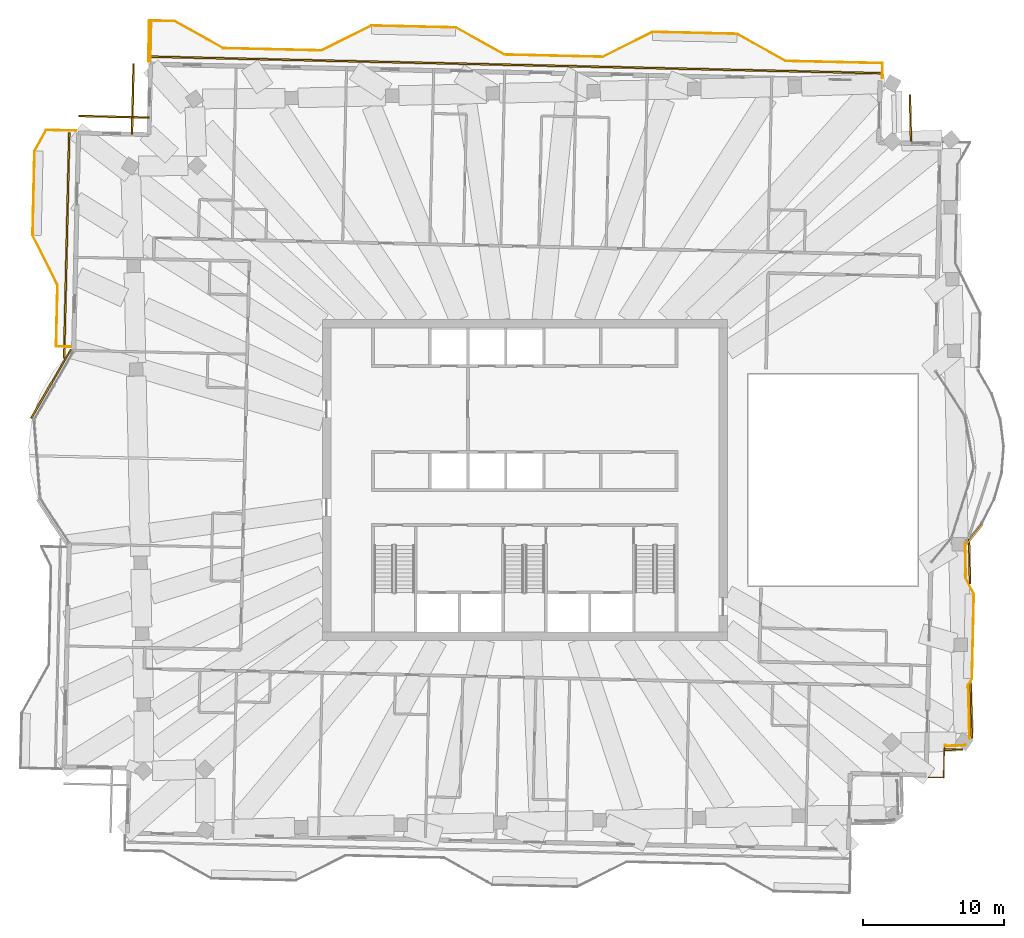
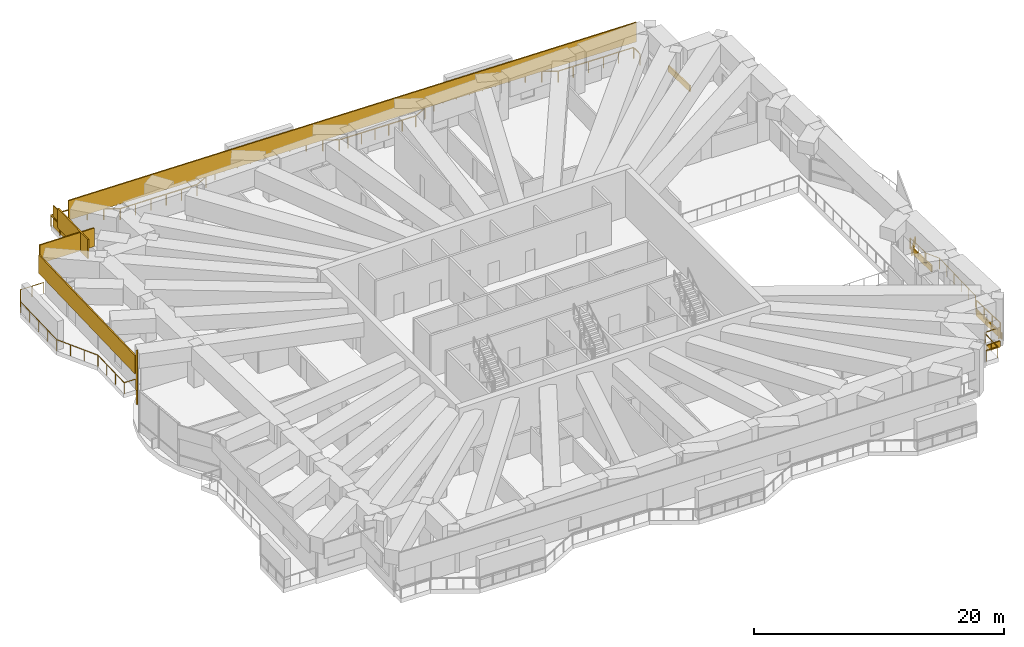
# One storey, part 19 of 20: 10 coverings, 7 railings, 1 shading device.
"""IFC4 building model written with IfcOpenShell, lengths in metres."""

import ifcopenshell
import ifcopenshell.guid

model = None  # the IFC model being written
_history = None  # IfcOwnerHistory: only IFC2X3 demands one
_inside = {}  # id of a spatial element -> (the spatial element, [elements in it])
_under = {}  # id of a project, library or spatial element -> (it, [spatial elements below it])
_declared = {}  # id of a project -> (the project, [libraries it declares])
_typed = {}  # id of a type object -> (the type object, [elements of that type])
_made_of = {}  # id of a material, layer set ... -> (it, [elements and type objects made of it])


def new_model(schema):
    """Start an empty IFC model of exactly this schema.

    Asked for "IFC4X3", IfcOpenShell would pick the latest addendum, in which some entities
    have other attributes; the version numbers below select the first issue.
    IFC2X3 requires an IfcOwnerHistory on every rooted entity: one is made here for all.
    """
    global model, _history
    if schema == "IFC4X3":
        model = ifcopenshell.file(schema_version=(4, 3, 0, 0))
    else:
        model = ifcopenshell.file(schema=schema)
    _inside.clear()
    _under.clear()
    _declared.clear()
    _typed.clear()
    _made_of.clear()
    _history = None
    if model.schema == "IFC2X3":
        org = make("IfcOrganization", Name="unknown")
        user = make(
            "IfcPersonAndOrganization",
            ThePerson=make("IfcPerson", FamilyName="unknown"),
            TheOrganization=org,
        )
        app = make(
            "IfcApplication",
            ApplicationDeveloper=org,
            Version="unknown",
            ApplicationFullName="unknown",
            ApplicationIdentifier="unknown",
        )
        _history = make(
            "IfcOwnerHistory",
            OwningUser=user,
            OwningApplication=app,
            ChangeAction="ADDED",
            CreationDate=0,
        )
    return model


def make(cls, **values):
    """One entity of the class cls with the attributes given. An attribute that is None is left unset."""
    return model.create_entity(
        cls, **{name: value for name, value in values.items() if value is not None}
    )


def rooted(cls, **values):
    """An entity with a GlobalId (a new one), such as an element, a storey or a relation."""
    return make(cls, GlobalId=ifcopenshell.guid.new(), OwnerHistory=_history, **values)


def si_unit(unit_type, name, prefix=None):
    """IfcSIUnit, for example si_unit("LENGTHUNIT", "METRE", prefix="MILLI")."""
    return make("IfcSIUnit", UnitType=unit_type, Prefix=prefix, Name=name)


def assignment(units):
    """IfcUnitAssignment: the units of a project."""
    return None if units is None else make("IfcUnitAssignment", Units=units)


def point(xyz):
    """IfcCartesianPoint."""
    return None if xyz is None else make("IfcCartesianPoint", Coordinates=xyz)


def direction(xyz):
    """IfcDirection."""
    return None if xyz is None else make("IfcDirection", DirectionRatios=xyz)


def frame(location, z_axis=None, x_axis=None):
    """IfcAxis2Placement3D, a coordinate frame: its origin and axes. An axis left out is left unset."""
    return make(
        "IfcAxis2Placement3D",
        Location=point(location),
        Axis=direction(z_axis),
        RefDirection=direction(x_axis),
    )


def frame_2d(location, x_axis=None):
    """IfcAxis2Placement2D, a coordinate frame in the plane: its origin and x axis."""
    return make(
        "IfcAxis2Placement2D", Location=point(location), RefDirection=direction(x_axis)
    )


def origin():
    """The frame at (0, 0, 0) with its axes left unset."""
    return frame((0.0, 0.0, 0.0))


def origin_2d():
    """The frame at (0, 0) in the plane with its x axis left unset."""
    return frame_2d((0.0, 0.0))


def place(relative_to, where):
    """IfcLocalPlacement: puts the frame where relative to a parent placement (None: the world)."""
    return make(
        "IfcLocalPlacement", PlacementRelTo=relative_to, RelativePlacement=where
    )


def context(
    kind, dimensions, precision=None, world=None, true_north=None, identifier=None
):
    """IfcGeometricRepresentationContext, for example the 3D "Model" context."""
    return make(
        "IfcGeometricRepresentationContext",
        ContextIdentifier=identifier,
        ContextType=kind,
        CoordinateSpaceDimension=dimensions,
        Precision=precision,
        WorldCoordinateSystem=world,
        TrueNorth=true_north,
    )


def subcontext(parent, identifier, kind, view, scale=None):
    """IfcGeometricRepresentationSubContext, for example "Body" below "Model"."""
    return make(
        "IfcGeometricRepresentationSubContext",
        ContextIdentifier=identifier,
        ContextType=kind,
        ParentContext=parent,
        TargetScale=scale,
        TargetView=view,
    )


def project(units=None, contexts=None):
    """IfcProject with its units and contexts."""
    return rooted(
        "IfcProject",
        Name="project",
        RepresentationContexts=contexts,
        UnitsInContext=assignment(units),
    )


def spatial(cls, under=None, at=None, **own):
    """A site, building, storey or space (cls), placed at a placement, below another one or the project."""
    s = rooted(cls, ObjectPlacement=at, **own)
    if under is not None:
        _under.setdefault(under.id(), (under, []))[1].append(s)
    return s


def profile(cls, at=None, kind="AREA", **sizes):
    """A parametric profile (cls). Its sizes go by their IFC names, for example OverallWidth=200.0."""
    return make(cls, ProfileType=kind, Position=at, **sizes)


def rectangle(**sizes):
    """IfcRectangleProfileDef."""
    return profile("IfcRectangleProfileDef", **sizes)


def extrude(swept, where, along, depth):
    """IfcExtrudedAreaSolid: the profile swept, set in the frame where, extruded along a direction by depth."""
    return make(
        "IfcExtrudedAreaSolid",
        SweptArea=swept,
        Position=where,
        ExtrudedDirection=direction(along),
        Depth=depth,
    )


def shape(context_of_items, identifier, shape_type, items):
    """IfcShapeRepresentation: the items that make up one representation, for example the "Body"."""
    return make(
        "IfcShapeRepresentation",
        ContextOfItems=context_of_items,
        RepresentationIdentifier=identifier,
        RepresentationType=shape_type,
        Items=items,
    )


def material(Name=None, Category=None):
    """IfcMaterial."""
    return make("IfcMaterial", Name=Name, Category=Category)


def layer(
    of_material, thickness, ventilated=None, Name=None, Category=None, Priority=None
):
    """IfcMaterialLayer: one layer of a wall or slab, of a material (None: an air gap)."""
    return make(
        "IfcMaterialLayer",
        Material=of_material,
        LayerThickness=thickness,
        IsVentilated=ventilated,
        Name=Name,
        Category=Category,
        Priority=Priority,
    )


def layer_set(layers, Name=None):
    """IfcMaterialLayerSet."""
    return make("IfcMaterialLayerSet", MaterialLayers=layers, LayerSetName=Name)


def made_of(thing, what):
    """Note that an element or type object is made of a material, layer set ...; save() writes the relation."""
    if what is not None:
        _made_of.setdefault(what.id(), (what, []))[1].append(thing)
    return thing


def type_object(cls, material=None, **own):
    """A type object (cls), such as IfcWallType, which elements share."""
    return made_of(rooted(cls, **own), material)


def element(
    cls,
    number,
    at=None,
    inside=None,
    cuts=None,
    type_object=None,
    material=None,
    context=None,
    identifier="Body",
    shape_type=None,
    held_by="IfcProductDefinitionShape",
    body=None,
    shapes=None,
    **own,
):
    """One element of the class cls, such as IfcWall. Its Tag is "e" and its number.

    at: its placement. inside: the storey or other place that contains it. cuts: it is an
    opening in that element (IfcRelVoidsElement). A single representation is given by context,
    identifier, shape_type and body (its items); several are given by shapes. held_by: the class
    of the entity that holds the representations. save() writes the other relations.
    """
    e = rooted(cls, Tag="e%d" % number, ObjectPlacement=at, **own)
    if body is not None:
        shapes = [shape(context, identifier, shape_type, body)]
    if shapes is not None:
        e.Representation = make(held_by, Representations=shapes)
    if inside is not None:
        _inside.setdefault(inside.id(), (inside, []))[1].append(e)
    if cuts is not None:
        rooted(
            "IfcRelVoidsElement", RelatingBuildingElement=cuts, RelatedOpeningElement=e
        )
    if type_object is not None:
        _typed.setdefault(type_object.id(), (type_object, []))[1].append(e)
    return made_of(e, material)


def aggregate(whole, parts):
    """IfcRelAggregates: a whole, such as a stair, and the parts it consists of."""
    return rooted("IfcRelAggregates", RelatingObject=whole, RelatedObjects=parts)


def save(model, path):
    """Write the relations noted so far, then the file.

    IfcRelAggregates (storeys below a building ...), IfcRelContainedInSpatialStructure (elements
    in a storey), IfcRelDefinesByType, IfcRelAssociatesMaterial and IfcRelDeclares: one each for
    every whole, place, type object, material and project.
    """
    for whole, parts in _under.values():
        aggregate(whole, parts)
    for where, things in _inside.values():
        rooted(
            "IfcRelContainedInSpatialStructure",
            RelatedElements=things,
            RelatingStructure=where,
        )
    for kind, things in _typed.values():
        rooted("IfcRelDefinesByType", RelatedObjects=things, RelatingType=kind)
    for what, things in _made_of.values():
        rooted("IfcRelAssociatesMaterial", RelatedObjects=things, RelatingMaterial=what)
    for by, libraries in _declared.values():
        rooted("IfcRelDeclares", RelatingContext=by, RelatedDefinitions=libraries)
    model.write(path)


model = new_model("IFC4")

# Units and contexts
model_context = context("Model", 3, precision=1e-05, world=origin(), true_north=direction((0.0, 1.0)))
body_context = subcontext(model_context, "Body", "Model", "MODEL_VIEW")
ifc_project = project(units=[si_unit("LENGTHUNIT", "METRE"), si_unit("AREAUNIT", "SQUARE_METRE"), si_unit("VOLUMEUNIT", "CUBIC_METRE"), si_unit("PLANEANGLEUNIT", "RADIAN"), si_unit("MASSUNIT", "GRAM", prefix="KILO")], contexts=[model_context])

# Site, building, storey
site_placement = place(None, origin())
site = spatial("IfcSite", under=ifc_project, at=site_placement, CompositionType="ELEMENT")
building_placement = place(site_placement, origin())
building = spatial("IfcBuilding", under=site, at=building_placement, Name="Mangrove Gate Tower", CompositionType="ELEMENT")
storey_placement = place(building_placement, frame((0.0, 0.0, 301.5)))
storey = spatial("IfcBuildingStorey", under=building, at=storey_placement, Name="L77", CompositionType="ELEMENT", Elevation=301.5)

# Railings
ifc_material_1 = material(Name="Stainless steel grade 316 with laminated glass infill", Category="steel")
railing_type = type_object("IfcRailingType", Name="Balcony guard 1100", PredefinedType="GUARDRAIL", material=ifc_material_1)
railing_1_placement = place(storey_placement, frame((28.73095703125, -21.14404296875, 0.0)))
element("IfcRailing", 1, at=railing_1_placement, inside=storey, type_object=railing_type, Name="GUARD L77 E1", PredefinedType="GUARDRAIL", context=body_context, shape_type="SweptSolid", body=[
    extrude(rectangle(XDim=0.048095703125, YDim=0.048095703125, at=origin_2d()), frame((0.0, 0.0, 1.076171875), z_axis=(0.999744919731, -0.022585293253, 0.0), x_axis=(0.022585293253, 0.999744919731, 0.0)), (0.0, 0.0, 1.0), 1.059326171875),
    extrude(rectangle(XDim=0.048095703125, YDim=0.048095703125, at=origin_2d()), frame((1.05908203125, -0.02392578125, 1.076171875), z_axis=(0.022994031019, 0.999735602316, 0.0), x_axis=(-0.999735602316, 0.022994031019, 0.0)), (0.0, 0.0, 1.0), 2.176513671875),
    extrude(rectangle(XDim=0.0419921875, YDim=0.0419921875, at=origin_2d()), origin(), (0.0, 0.0, 1.0), 1.052001953125),
    extrude(rectangle(XDim=0.0419921875, YDim=0.0419921875, at=origin_2d()), frame((1.05908203125, -0.02392578125, 0.0)), (0.0, 0.0, 1.0), 1.052001953125),
    extrude(rectangle(XDim=0.0419921875, YDim=0.0419921875, at=origin_2d()), frame((1.083984375, 1.06396484375, 0.0)), (0.0, 0.0, 1.0), 1.052001953125),
    extrude(rectangle(XDim=0.0419921875, YDim=0.0419921875, at=origin_2d()), frame((1.109130859375, 2.152099609375, 0.0)), (0.0, 0.0, 1.0), 1.052001953125),
])
railing_2_placement = place(storey_placement, frame((31.5380859375, -14.5830078125, 0.0)))
element("IfcRailing", 2, at=railing_2_placement, inside=storey, type_object=railing_type, Name="GUARD L77 E2", PredefinedType="GUARDRAIL", context=body_context, shape_type="SweptSolid", body=[
    extrude(rectangle(XDim=0.048095703125, YDim=0.048095703125, at=origin_2d()), frame((0.0, 0.0, 1.076171875), z_axis=(0.487486545876, 0.873130498602, 0.0), x_axis=(-0.873130498602, 0.487486545876, 0.0)), (0.0, 0.0, 1.0), 0.539306640625),
    extrude(rectangle(XDim=0.048095703125, YDim=0.048095703125, at=origin_2d()), frame((0.262939453125, 0.470947265625, 1.076171875), z_axis=(0.022662255828, 0.999743178102, 0.0), x_axis=(-0.999743178102, 0.022662255828, 0.0)), (0.0, 0.0, 1.0), 6.00048828125),
    extrude(rectangle(XDim=0.048095703125, YDim=0.048095703125, at=origin_2d()), frame((0.39892578125, 6.469970703125, 1.076171875), z_axis=(-0.447514420232, 0.894276715388, 0.0), x_axis=(-0.894276715388, -0.447514420232, 0.0)), (0.0, 0.0, 1.0), 1.29833984375),
    extrude(rectangle(XDim=0.0419921875, YDim=0.0419921875, at=origin_2d()), origin(), (0.0, 0.0, 1.0), 1.052001953125),
    extrude(rectangle(XDim=0.0419921875, YDim=0.0419921875, at=origin_2d()), frame((0.262939453125, 0.470947265625, 0.0)), (0.0, 0.0, 1.0), 1.052001953125),
    extrude(rectangle(XDim=0.0419921875, YDim=0.0419921875, at=origin_2d()), frame((0.2900390625, 1.670654296875, 0.0)), (0.0, 0.0, 1.0), 1.052001953125),
    extrude(rectangle(XDim=0.0419921875, YDim=0.0419921875, at=origin_2d()), frame((0.3173828125, 2.87060546875, 0.0)), (0.0, 0.0, 1.0), 1.052001953125),
    extrude(rectangle(XDim=0.0419921875, YDim=0.0419921875, at=origin_2d()), frame((0.344482421875, 4.0703125, 0.0)), (0.0, 0.0, 1.0), 1.052001953125),
    extrude(rectangle(XDim=0.0419921875, YDim=0.0419921875, at=origin_2d()), frame((0.371826171875, 5.270263671875, 0.0)), (0.0, 0.0, 1.0), 1.052001953125),
    extrude(rectangle(XDim=0.0419921875, YDim=0.0419921875, at=origin_2d()), frame((0.39892578125, 6.469970703125, 0.0)), (0.0, 0.0, 1.0), 1.052001953125),
    extrude(rectangle(XDim=0.0419921875, YDim=0.0419921875, at=origin_2d()), frame((-0.18212890625, 7.631103515625, 0.0)), (0.0, 0.0, 1.0), 1.052001953125),
])
railing_3_placement = place(storey_placement, frame((25.41796875, 28.583984375, 0.0)))
element("IfcRailing", 3, at=railing_3_placement, inside=storey, type_object=railing_type, Name="GUARD L77 N1", PredefinedType="GUARDRAIL", context=body_context, shape_type="SweptSolid", body=[
    extrude(rectangle(XDim=0.048095703125, YDim=0.048095703125, at=origin_2d()), frame((0.0, 0.0, 1.076171875), z_axis=(0.022564497502, 0.999745389313, 0.0), x_axis=(-0.999745389313, 0.022564497502, 0.0)), (0.0, 0.0, 1.0), 1.060302734375),
    extrude(rectangle(XDim=0.048095703125, YDim=0.048095703125, at=origin_2d()), frame((0.02392578125, 1.06005859375, 1.076171875), z_axis=(-0.999744350308, 0.022610484882, 0.0), x_axis=(-0.022610484882, -0.999744350308, 0.0)), (0.0, 0.0, 1.0), 6.899658203125),
    extrude(rectangle(XDim=0.048095703125, YDim=0.048095703125, at=origin_2d()), frame((-6.8740234375, 1.216064453125, 1.076171875), z_axis=(-0.87325689943, 0.48726008209, 0.0), x_axis=(-0.48726008209, -0.87325689943, 0.0)), (0.0, 0.0, 1.0), 3.958740234375),
    extrude(rectangle(XDim=0.048095703125, YDim=0.048095703125, at=origin_2d()), frame((-10.3310546875, 3.14501953125, 1.076171875), z_axis=(-0.999743178102, 0.022662255828, 0.0), x_axis=(-0.022662255828, -0.999743178102, 0.0)), (0.0, 0.0, 1.0), 6.00048828125),
    extrude(rectangle(XDim=0.048095703125, YDim=0.048095703125, at=origin_2d()), frame((-16.330078125, 3.281005859375, 1.076171875), z_axis=(-0.894464192593, -0.447139584658, 0.0), x_axis=(0.447139584658, -0.894464192593, 0.0)), (0.0, 0.0, 1.0), 3.95849609375),
    extrude(rectangle(XDim=0.048095703125, YDim=0.048095703125, at=origin_2d()), frame((-19.870849609375, 1.510986328125, 1.076171875), z_axis=(-0.999740919865, 0.022761659577, 0.0), x_axis=(-0.022761659577, -0.999740919865, 0.0)), (0.0, 0.0, 1.0), 6.19970703125),
    extrude(rectangle(XDim=0.048095703125, YDim=0.048095703125, at=origin_2d()), frame((-26.06884765625, 1.652099609375, 1.076171875), z_axis=(-0.999751971697, 0.022270947188, 0.0), x_axis=(-0.022270947188, -0.999751971697, 0.0)), (0.0, 0.0, 1.0), 0.80029296875),
    extrude(rectangle(XDim=0.048095703125, YDim=0.048095703125, at=origin_2d()), frame((-26.868896484375, 1.669921875, 1.076171875), z_axis=(-0.873230657876, 0.487307108654, 0.0), x_axis=(-0.487307108654, -0.873230657876, 0.0)), (0.0, 0.0, 1.0), 3.958984375),
    extrude(rectangle(XDim=0.048095703125, YDim=0.048095703125, at=origin_2d()), frame((-30.325927734375, 3.59912109375, 1.076171875), z_axis=(-0.999743178102, 0.022662255828, 0.0), x_axis=(-0.022662255828, -0.999743178102, 0.0)), (0.0, 0.0, 1.0), 6.00048828125),
    extrude(rectangle(XDim=0.048095703125, YDim=0.048095703125, at=origin_2d()), frame((-36.324951171875, 3.735107421875, 1.076171875), z_axis=(-0.894476522376, -0.447114919141, 0.0), x_axis=(0.447114919141, -0.894476522376, 0.0)), (0.0, 0.0, 1.0), 3.958740234375),
    extrude(rectangle(XDim=0.048095703125, YDim=0.048095703125, at=origin_2d()), frame((-39.865966796875, 1.965087890625, 1.076171875), z_axis=(-0.999742195543, 0.022705559911, 0.0), x_axis=(-0.022705559911, -0.999742195543, 0.0)), (0.0, 0.0, 1.0), 6.999755859375),
    extrude(rectangle(XDim=0.048095703125, YDim=0.048095703125, at=origin_2d()), frame((-46.864013671875, 2.1240234375, 1.076171875), z_axis=(-0.87325689943, 0.48726008209, 0.0), x_axis=(-0.48726008209, -0.87325689943, 0.0)), (0.0, 0.0, 1.0), 3.958740234375),
    extrude(rectangle(XDim=0.048095703125, YDim=0.048095703125, at=origin_2d()), frame((-50.321044921875, 4.052978515625, 1.076171875), z_axis=(-0.999752642043, 0.022240834685, 0.0), x_axis=(-0.022240834685, -0.999752642043, 0.0)), (0.0, 0.0, 1.0), 1.80029296875),
    extrude(rectangle(XDim=0.048095703125, YDim=0.048095703125, at=origin_2d()), frame((-52.120849609375, 4.093017578125, 1.076171875), z_axis=(-0.022403104328, -0.999749018963, 0.0), x_axis=(0.999749018963, -0.022403104328, 0.0)), (0.0, 0.0, 1.0), 2.90966796875),
    extrude(rectangle(XDim=0.0419921875, YDim=0.0419921875, at=origin_2d()), origin(), (0.0, 0.0, 1.0), 1.052001953125),
    extrude(rectangle(XDim=0.0419921875, YDim=0.0419921875, at=origin_2d()), frame((0.02392578125, 1.06005859375, 0.0)), (0.0, 0.0, 1.0), 1.052001953125),
    extrude(rectangle(XDim=0.0419921875, YDim=0.0419921875, at=origin_2d()), frame((-1.355712890625, 1.09130859375, 0.0)), (0.0, 0.0, 1.0), 1.052001953125),
    extrude(rectangle(XDim=0.0419921875, YDim=0.0419921875, at=origin_2d()), frame((-2.7353515625, 1.12255859375, 0.0)), (0.0, 0.0, 1.0), 1.052001953125),
    extrude(rectangle(XDim=0.0419921875, YDim=0.0419921875, at=origin_2d()), frame((-4.11474609375, 1.153564453125, 0.0)), (0.0, 0.0, 1.0), 1.052001953125),
    extrude(rectangle(XDim=0.0419921875, YDim=0.0419921875, at=origin_2d()), frame((-5.494384765625, 1.184814453125, 0.0)), (0.0, 0.0, 1.0), 1.052001953125),
    extrude(rectangle(XDim=0.0419921875, YDim=0.0419921875, at=origin_2d()), frame((-6.8740234375, 1.216064453125, 0.0)), (0.0, 0.0, 1.0), 1.052001953125),
    extrude(rectangle(XDim=0.0419921875, YDim=0.0419921875, at=origin_2d()), frame((-8.0263671875, 1.859130859375, 0.0)), (0.0, 0.0, 1.0), 1.052001953125),
    extrude(rectangle(XDim=0.0419921875, YDim=0.0419921875, at=origin_2d()), frame((-9.1787109375, 2.501953125, 0.0)), (0.0, 0.0, 1.0), 1.052001953125),
    extrude(rectangle(XDim=0.0419921875, YDim=0.0419921875, at=origin_2d()), frame((-10.3310546875, 3.14501953125, 0.0)), (0.0, 0.0, 1.0), 1.052001953125),
    extrude(rectangle(XDim=0.0419921875, YDim=0.0419921875, at=origin_2d()), frame((-11.53076171875, 3.172119140625, 0.0)), (0.0, 0.0, 1.0), 1.052001953125),
    extrude(rectangle(XDim=0.0419921875, YDim=0.0419921875, at=origin_2d()), frame((-12.730712890625, 3.199462890625, 0.0)), (0.0, 0.0, 1.0), 1.052001953125),
    extrude(rectangle(XDim=0.0419921875, YDim=0.0419921875, at=origin_2d()), frame((-13.930419921875, 3.2265625, 0.0)), (0.0, 0.0, 1.0), 1.052001953125),
    extrude(rectangle(XDim=0.0419921875, YDim=0.0419921875, at=origin_2d()), frame((-15.13037109375, 3.25390625, 0.0)), (0.0, 0.0, 1.0), 1.052001953125),
    extrude(rectangle(XDim=0.0419921875, YDim=0.0419921875, at=origin_2d()), frame((-16.330078125, 3.281005859375, 0.0)), (0.0, 0.0, 1.0), 1.052001953125),
    extrude(rectangle(XDim=0.0419921875, YDim=0.0419921875, at=origin_2d()), frame((-17.51025390625, 2.69091796875, 0.0)), (0.0, 0.0, 1.0), 1.052001953125),
    extrude(rectangle(XDim=0.0419921875, YDim=0.0419921875, at=origin_2d()), frame((-18.690673828125, 2.10107421875, 0.0)), (0.0, 0.0, 1.0), 1.052001953125),
    extrude(rectangle(XDim=0.0419921875, YDim=0.0419921875, at=origin_2d()), frame((-19.870849609375, 1.510986328125, 0.0)), (0.0, 0.0, 1.0), 1.052001953125),
    extrude(rectangle(XDim=0.0419921875, YDim=0.0419921875, at=origin_2d()), frame((-21.1103515625, 1.539306640625, 0.0)), (0.0, 0.0, 1.0), 1.052001953125),
    extrude(rectangle(XDim=0.0419921875, YDim=0.0419921875, at=origin_2d()), frame((-22.35009765625, 1.5673828125, 0.0)), (0.0, 0.0, 1.0), 1.052001953125),
    extrude(rectangle(XDim=0.0419921875, YDim=0.0419921875, at=origin_2d()), frame((-23.589599609375, 1.595703125, 0.0)), (0.0, 0.0, 1.0), 1.052001953125),
    extrude(rectangle(XDim=0.0419921875, YDim=0.0419921875, at=origin_2d()), frame((-24.829345703125, 1.623779296875, 0.0)), (0.0, 0.0, 1.0), 1.052001953125),
    extrude(rectangle(XDim=0.0419921875, YDim=0.0419921875, at=origin_2d()), frame((-26.06884765625, 1.652099609375, 0.0)), (0.0, 0.0, 1.0), 1.052001953125),
    extrude(rectangle(XDim=0.0419921875, YDim=0.0419921875, at=origin_2d()), frame((-26.868896484375, 1.669921875, 0.0)), (0.0, 0.0, 1.0), 1.052001953125),
    extrude(rectangle(XDim=0.0419921875, YDim=0.0419921875, at=origin_2d()), frame((-28.021240234375, 2.31298828125, 0.0)), (0.0, 0.0, 1.0), 1.052001953125),
    extrude(rectangle(XDim=0.0419921875, YDim=0.0419921875, at=origin_2d()), frame((-29.173583984375, 2.9560546875, 0.0)), (0.0, 0.0, 1.0), 1.052001953125),
    extrude(rectangle(XDim=0.0419921875, YDim=0.0419921875, at=origin_2d()), frame((-30.325927734375, 3.59912109375, 0.0)), (0.0, 0.0, 1.0), 1.052001953125),
    extrude(rectangle(XDim=0.0419921875, YDim=0.0419921875, at=origin_2d()), frame((-31.525634765625, 3.626220703125, 0.0)), (0.0, 0.0, 1.0), 1.052001953125),
    extrude(rectangle(XDim=0.0419921875, YDim=0.0419921875, at=origin_2d()), frame((-32.7255859375, 3.653564453125, 0.0)), (0.0, 0.0, 1.0), 1.052001953125),
    extrude(rectangle(XDim=0.0419921875, YDim=0.0419921875, at=origin_2d()), frame((-33.92529296875, 3.6806640625, 0.0)), (0.0, 0.0, 1.0), 1.052001953125),
    extrude(rectangle(XDim=0.0419921875, YDim=0.0419921875, at=origin_2d()), frame((-35.125244140625, 3.7080078125, 0.0)), (0.0, 0.0, 1.0), 1.052001953125),
    extrude(rectangle(XDim=0.0419921875, YDim=0.0419921875, at=origin_2d()), frame((-36.324951171875, 3.735107421875, 0.0)), (0.0, 0.0, 1.0), 1.052001953125),
    extrude(rectangle(XDim=0.0419921875, YDim=0.0419921875, at=origin_2d()), frame((-37.50537109375, 3.14501953125, 0.0)), (0.0, 0.0, 1.0), 1.052001953125),
    extrude(rectangle(XDim=0.0419921875, YDim=0.0419921875, at=origin_2d()), frame((-38.685546875, 2.55517578125, 0.0)), (0.0, 0.0, 1.0), 1.052001953125),
    extrude(rectangle(XDim=0.0419921875, YDim=0.0419921875, at=origin_2d()), frame((-39.865966796875, 1.965087890625, 0.0)), (0.0, 0.0, 1.0), 1.052001953125),
    extrude(rectangle(XDim=0.0419921875, YDim=0.0419921875, at=origin_2d()), frame((-41.265625, 1.996826171875, 0.0)), (0.0, 0.0, 1.0), 1.052001953125),
    extrude(rectangle(XDim=0.0419921875, YDim=0.0419921875, at=origin_2d()), frame((-42.665283203125, 2.028564453125, 0.0)), (0.0, 0.0, 1.0), 1.052001953125),
    extrude(rectangle(XDim=0.0419921875, YDim=0.0419921875, at=origin_2d()), frame((-44.064697265625, 2.060546875, 0.0)), (0.0, 0.0, 1.0), 1.052001953125),
    extrude(rectangle(XDim=0.0419921875, YDim=0.0419921875, at=origin_2d()), frame((-45.46435546875, 2.09228515625, 0.0)), (0.0, 0.0, 1.0), 1.052001953125),
    extrude(rectangle(XDim=0.0419921875, YDim=0.0419921875, at=origin_2d()), frame((-46.864013671875, 2.1240234375, 0.0)), (0.0, 0.0, 1.0), 1.052001953125),
    extrude(rectangle(XDim=0.0419921875, YDim=0.0419921875, at=origin_2d()), frame((-48.016357421875, 2.76708984375, 0.0)), (0.0, 0.0, 1.0), 1.052001953125),
    extrude(rectangle(XDim=0.0419921875, YDim=0.0419921875, at=origin_2d()), frame((-49.168701171875, 3.409912109375, 0.0)), (0.0, 0.0, 1.0), 1.052001953125),
    extrude(rectangle(XDim=0.0419921875, YDim=0.0419921875, at=origin_2d()), frame((-50.321044921875, 4.052978515625, 0.0)), (0.0, 0.0, 1.0), 1.052001953125),
    extrude(rectangle(XDim=0.0419921875, YDim=0.0419921875, at=origin_2d()), frame((-51.220947265625, 4.072998046875, 0.0)), (0.0, 0.0, 1.0), 1.052001953125),
    extrude(rectangle(XDim=0.0419921875, YDim=0.0419921875, at=origin_2d()), frame((-52.120849609375, 4.093017578125, 0.0)), (0.0, 0.0, 1.0), 1.052001953125),
    extrude(rectangle(XDim=0.0419921875, YDim=0.0419921875, at=origin_2d()), frame((-52.1533203125, 2.638671875, 0.0)), (0.0, 0.0, 1.0), 1.052001953125),
    extrude(rectangle(XDim=0.0419921875, YDim=0.0419921875, at=origin_2d()), frame((-52.18603515625, 1.18408203125, 0.0)), (0.0, 0.0, 1.0), 1.052001953125),
])
railing_4_placement = place(storey_placement, frame((-31.922119140625, 24.843994140625, 0.0)))
element("IfcRailing", 4, at=railing_4_placement, inside=storey, type_object=railing_type, Name="GUARD L77 W1", PredefinedType="GUARDRAIL", context=body_context, shape_type="SweptSolid", body=[
    extrude(rectangle(XDim=0.048095703125, YDim=0.048095703125, at=origin_2d()), frame((0.0, 0.0, 1.076171875), z_axis=(-0.99974177599, 0.022724025599, 0.0), x_axis=(-0.022724025599, -0.99974177599, 0.0)), (0.0, 0.0, 1.0), 2.116455078125),
    extrude(rectangle(XDim=0.048095703125, YDim=0.048095703125, at=origin_2d()), frame((-2.115966796875, 0.048095703125, 1.076171875), z_axis=(-0.487205459028, -0.873287375778, 0.0), x_axis=(0.873287375778, -0.487205459028, 0.0)), (0.0, 0.0, 1.0), 1.697265625),
    extrude(rectangle(XDim=0.048095703125, YDim=0.048095703125, at=origin_2d()), frame((-2.94287109375, -1.43408203125, 1.076171875), z_axis=(-0.022666865795, -0.999743073592, 0.0), x_axis=(0.999743073592, -0.022666865795, 0.0)), (0.0, 0.0, 1.0), 5.999267578125),
    extrude(rectangle(XDim=0.048095703125, YDim=0.048095703125, at=origin_2d()), frame((-3.078857421875, -7.431884765625, 1.076171875), z_axis=(0.447114919141, -0.894476522376, 0.0), x_axis=(0.894476522376, 0.447114919141, 0.0)), (0.0, 0.0, 1.0), 3.958740234375),
    extrude(rectangle(XDim=0.048095703125, YDim=0.048095703125, at=origin_2d()), frame((-1.308837890625, -10.972900390625, 1.076171875), z_axis=(-0.022655491882, -0.999743331404, 0.0), x_axis=(0.999743331404, -0.022655491882, 0.0)), (0.0, 0.0, 1.0), 4.375244140625),
    extrude(rectangle(XDim=0.048095703125, YDim=0.048095703125, at=origin_2d()), frame((-1.407958984375, -15.346923828125, 1.076171875), z_axis=(0.999740168701, -0.022794628443, 0.0), x_axis=(0.022794628443, 0.999740168701, 0.0)), (0.0, 0.0, 1.0), 1.060302734375),
    extrude(rectangle(XDim=0.0419921875, YDim=0.0419921875, at=origin_2d()), origin(), (0.0, 0.0, 1.0), 1.052001953125),
    extrude(rectangle(XDim=0.0419921875, YDim=0.0419921875, at=origin_2d()), frame((-1.05810546875, 0.02392578125, 0.0)), (0.0, 0.0, 1.0), 1.052001953125),
    extrude(rectangle(XDim=0.0419921875, YDim=0.0419921875, at=origin_2d()), frame((-2.115966796875, 0.048095703125, 0.0)), (0.0, 0.0, 1.0), 1.052001953125),
    extrude(rectangle(XDim=0.0419921875, YDim=0.0419921875, at=origin_2d()), frame((-2.529296875, -0.69287109375, 0.0)), (0.0, 0.0, 1.0), 1.052001953125),
    extrude(rectangle(XDim=0.0419921875, YDim=0.0419921875, at=origin_2d()), frame((-2.94287109375, -1.43408203125, 0.0)), (0.0, 0.0, 1.0), 1.052001953125),
    extrude(rectangle(XDim=0.0419921875, YDim=0.0419921875, at=origin_2d()), frame((-2.976806640625, -2.93359375, 0.0)), (0.0, 0.0, 1.0), 1.052001953125),
    extrude(rectangle(XDim=0.0419921875, YDim=0.0419921875, at=origin_2d()), frame((-3.0107421875, -4.43310546875, 0.0)), (0.0, 0.0, 1.0), 1.052001953125),
    extrude(rectangle(XDim=0.0419921875, YDim=0.0419921875, at=origin_2d()), frame((-3.044921875, -5.932373046875, 0.0)), (0.0, 0.0, 1.0), 1.052001953125),
    extrude(rectangle(XDim=0.0419921875, YDim=0.0419921875, at=origin_2d()), frame((-3.078857421875, -7.431884765625, 0.0)), (0.0, 0.0, 1.0), 1.052001953125),
    extrude(rectangle(XDim=0.0419921875, YDim=0.0419921875, at=origin_2d()), frame((-2.48876953125, -8.6123046875, 0.0)), (0.0, 0.0, 1.0), 1.052001953125),
    extrude(rectangle(XDim=0.0419921875, YDim=0.0419921875, at=origin_2d()), frame((-1.89892578125, -9.79248046875, 0.0)), (0.0, 0.0, 1.0), 1.052001953125),
    extrude(rectangle(XDim=0.0419921875, YDim=0.0419921875, at=origin_2d()), frame((-1.308837890625, -10.972900390625, 0.0)), (0.0, 0.0, 1.0), 1.052001953125),
    extrude(rectangle(XDim=0.0419921875, YDim=0.0419921875, at=origin_2d()), frame((-1.341796875, -12.430908203125, 0.0)), (0.0, 0.0, 1.0), 1.052001953125),
    extrude(rectangle(XDim=0.0419921875, YDim=0.0419921875, at=origin_2d()), frame((-1.375, -13.888916015625, 0.0)), (0.0, 0.0, 1.0), 1.052001953125),
    extrude(rectangle(XDim=0.0419921875, YDim=0.0419921875, at=origin_2d()), frame((-1.407958984375, -15.346923828125, 0.0)), (0.0, 0.0, 1.0), 1.052001953125),
    extrude(rectangle(XDim=0.0419921875, YDim=0.0419921875, at=origin_2d()), frame((-0.347900390625, -15.37109375, 0.0)), (0.0, 0.0, 1.0), 1.052001953125),
])
railing_5_placement = place(storey_placement, frame((31.305908203125, -4.486083984375, 0.0)))
element("IfcRailing", 5, at=railing_5_placement, inside=storey, type_object=railing_type, Name="GUARD L77 T1.2", PredefinedType="GUARDRAIL", context=body_context, shape_type="SweptSolid", body=[
    extrude(rectangle(XDim=0.048095703125, YDim=0.048095703125, at=origin_2d()), frame((0.0, 0.0, 1.076171875), z_axis=(0.17010333731, -0.985426229931, 0.0), x_axis=(0.985426229931, 0.17010333731, 0.0)), (0.0, 0.0, 1.0), 0.04150390625),
    extrude(rectangle(XDim=0.048095703125, YDim=0.048095703125, at=origin_2d()), frame((0.007080078125, -0.041015625, 1.076171875), z_axis=(0.078191245319, -0.996938377813, 0.0), x_axis=(0.996938377813, 0.078191245319, 0.0)), (0.0, 0.0, 1.0), 0.050048828125),
    extrude(rectangle(XDim=0.048095703125, YDim=0.048095703125, at=origin_2d()), frame((0.010986328125, -0.0908203125, 1.076171875), z_axis=(0.022850561644, -0.999738891828, 0.0), x_axis=(0.999738891828, 0.022850561644, 0.0)), (0.0, 0.0, 1.0), 2.275634765625),
    extrude(rectangle(XDim=0.048095703125, YDim=0.048095703125, at=origin_2d()), frame((0.06298828125, -2.365966796875, 1.076171875), z_axis=(-0.45389444733, 0.891055458814, 0.0), x_axis=(-0.891055458814, -0.45389444733, 0.0)), (0.0, 0.0, 1.0), 0.11669921875),
    extrude(rectangle(XDim=0.0419921875, YDim=0.0419921875, at=origin_2d()), origin(), (0.0, 0.0, 1.0), 1.052001953125),
    extrude(rectangle(XDim=0.0419921875, YDim=0.0419921875, at=origin_2d()), frame((0.007080078125, -0.041015625, 0.0)), (0.0, 0.0, 1.0), 1.052001953125),
    extrude(rectangle(XDim=0.0419921875, YDim=0.0419921875, at=origin_2d()), frame((0.010986328125, -0.0908203125, 0.0)), (0.0, 0.0, 1.0), 1.052001953125),
    extrude(rectangle(XDim=0.0419921875, YDim=0.0419921875, at=origin_2d()), frame((0.037109375, -1.228515625, 0.0)), (0.0, 0.0, 1.0), 1.052001953125),
    extrude(rectangle(XDim=0.0419921875, YDim=0.0419921875, at=origin_2d()), frame((0.06298828125, -2.365966796875, 0.0)), (0.0, 0.0, 1.0), 1.052001953125),
    extrude(rectangle(XDim=0.0419921875, YDim=0.0419921875, at=origin_2d()), frame((0.010009765625, -2.261962890625, 0.0)), (0.0, 0.0, 1.0), 1.052001953125),
])
railing_6_placement = place(storey_placement, frame((31.35693359375, -18.830078125, 0.0)))
element("IfcRailing", 6, at=railing_6_placement, inside=storey, type_object=railing_type, Name="GUARD L77 T2.1", PredefinedType="GUARDRAIL", context=body_context, shape_type="SweptSolid", body=[
    extrude(rectangle(XDim=0.048095703125, YDim=0.048095703125, at=origin_2d()), frame((0.0, 0.0, 1.076171875), z_axis=(-0.887359195726, -0.461078797779, 0.0), x_axis=(0.461078797779, -0.887359195726, 0.0)), (0.0, 0.0, 1.0), 0.028076171875),
    extrude(rectangle(XDim=0.048095703125, YDim=0.048095703125, at=origin_2d()), frame((-0.02490234375, -0.012939453125, 1.076171875), z_axis=(-0.937748760724, -0.347314355824, 0.0), x_axis=(0.347314355824, -0.937748760724, 0.0)), (0.0, 0.0, 1.0), 0.04931640625),
    extrude(rectangle(XDim=0.048095703125, YDim=0.048095703125, at=origin_2d()), frame((-0.071044921875, -0.030029296875, 1.076171875), z_axis=(-0.963948224108, -0.266089874363, 0.0), x_axis=(0.266089874363, -0.963948224108, 0.0)), (0.0, 0.0, 1.0), 0.048583984375),
    extrude(rectangle(XDim=0.048095703125, YDim=0.048095703125, at=origin_2d()), frame((-0.117919921875, -0.04296875, 1.076171875), z_axis=(-0.983476121369, -0.181037892988, 0.0), x_axis=(0.181037892988, -0.983476121369, 0.0)), (0.0, 0.0, 1.0), 0.0498046875),
    extrude(rectangle(XDim=0.048095703125, YDim=0.048095703125, at=origin_2d()), frame((-0.1669921875, -0.052001953125, 1.076171875), z_axis=(-0.998204845466, -0.059892290728, 0.0), x_axis=(0.059892290728, -0.998204845466, 0.0)), (0.0, 0.0, 1.0), 0.048828125),
    extrude(rectangle(XDim=0.048095703125, YDim=0.048095703125, at=origin_2d()), frame((-0.2158203125, -0.054931640625, 1.076171875), z_axis=(-0.999743863555, -0.022631996911, 0.0), x_axis=(0.022631996911, -0.999743863555, 0.0)), (0.0, 0.0, 1.0), 1.240478515625),
    extrude(rectangle(XDim=0.048095703125, YDim=0.048095703125, at=origin_2d()), frame((-1.4560546875, -0.0830078125, 1.076171875), z_axis=(0.043860190777, 0.999037678801, 0.0), x_axis=(-0.999037678801, 0.043860190777, 0.0)), (0.0, 0.0, 1.0), 0.050048828125),
    extrude(rectangle(XDim=0.0419921875, YDim=0.0419921875, at=origin_2d()), origin(), (0.0, 0.0, 1.0), 1.052001953125),
    extrude(rectangle(XDim=0.0419921875, YDim=0.0419921875, at=origin_2d()), frame((-0.02490234375, -0.012939453125, 0.0)), (0.0, 0.0, 1.0), 1.052001953125),
    extrude(rectangle(XDim=0.0419921875, YDim=0.0419921875, at=origin_2d()), frame((-0.071044921875, -0.030029296875, 0.0)), (0.0, 0.0, 1.0), 1.052001953125),
    extrude(rectangle(XDim=0.0419921875, YDim=0.0419921875, at=origin_2d()), frame((-0.117919921875, -0.04296875, 0.0)), (0.0, 0.0, 1.0), 1.052001953125),
    extrude(rectangle(XDim=0.0419921875, YDim=0.0419921875, at=origin_2d()), frame((-0.1669921875, -0.052001953125, 0.0)), (0.0, 0.0, 1.0), 1.052001953125),
    extrude(rectangle(XDim=0.0419921875, YDim=0.0419921875, at=origin_2d()), frame((-0.2158203125, -0.054931640625, 0.0)), (0.0, 0.0, 1.0), 1.052001953125),
    extrude(rectangle(XDim=0.0419921875, YDim=0.0419921875, at=origin_2d()), frame((-1.4560546875, -0.0830078125, 0.0)), (0.0, 0.0, 1.0), 1.052001953125),
    extrude(rectangle(XDim=0.0419921875, YDim=0.0419921875, at=origin_2d()), frame((-1.453857421875, -0.032958984375, 0.0)), (0.0, 0.0, 1.0), 1.052001953125),
])
railing_7_placement = place(storey_placement, frame((31.498046875, -14.76806640625, 0.0)))
element("IfcRailing", 7, at=railing_7_placement, inside=storey, type_object=railing_type, Name="GUARD L77 T2.2", PredefinedType="GUARDRAIL", context=body_context, shape_type="SweptSolid", body=[
    extrude(rectangle(XDim=0.048095703125, YDim=0.048095703125, at=origin_2d()), frame((0.0, 0.0, 1.076171875), z_axis=(0.485432631524, 0.874274076163, 0.0), x_axis=(-0.874274076163, 0.485432631524, 0.0)), (0.0, 0.0, 1.0), 0.0986328125),
    extrude(rectangle(XDim=0.048095703125, YDim=0.048095703125, at=origin_2d()), frame((0.0478515625, 0.086181640625, 1.076171875), z_axis=(0.022740926981, -0.999741391681, 0.0), x_axis=(0.999741391681, 0.022740926981, 0.0)), (0.0, 0.0, 1.0), 3.693115234375),
    extrude(rectangle(XDim=0.0419921875, YDim=0.0419921875, at=origin_2d()), origin(), (0.0, 0.0, 1.0), 1.052001953125),
    extrude(rectangle(XDim=0.0419921875, YDim=0.0419921875, at=origin_2d()), frame((0.0478515625, 0.086181640625, 0.0)), (0.0, 0.0, 1.0), 1.052001953125),
    extrude(rectangle(XDim=0.0419921875, YDim=0.0419921875, at=origin_2d()), frame((0.075927734375, -1.14453125, 0.0)), (0.0, 0.0, 1.0), 1.052001953125),
    extrude(rectangle(XDim=0.0419921875, YDim=0.0419921875, at=origin_2d()), frame((0.103759765625, -2.375244140625, 0.0)), (0.0, 0.0, 1.0), 1.052001953125),
    extrude(rectangle(XDim=0.0419921875, YDim=0.0419921875, at=origin_2d()), frame((0.1318359375, -3.60595703125, 0.0)), (0.0, 0.0, 1.0), 1.052001953125),
])

# Shading device
ifc_material_2 = material(Name="Timber slat screen in teak", Category="wood")
shading_device_type = type_object("IfcShadingDeviceType", Name="Balcony screen 2100", PredefinedType="USERDEFINED", material=ifc_material_2)
shading_device_placement = place(storey_placement, frame((-26.596923828125, 31.138916015625, 0.0), z_axis=(0.0, 0.0, 1.0), x_axis=(0.022408151889, 0.99974890584, 0.0)))
element("IfcShadingDevice", 8, at=shading_device_placement, inside=storey, type_object=shading_device_type, Name="SCREEN L77 N1", ObjectType="SCREEN", PredefinedType="USERDEFINED", context=body_context, shape_type="SweptSolid", body=[
    extrude(rectangle(XDim=2.7900390625, YDim=0.050048828125, at=origin_2d()), origin(), (0.0, 0.0, 1.0), 2.10009765625),
])

# Coverings
ifc_material_3 = material(Name="Limestone", Category="masonry")
ifc_layer_1 = layer(ifc_material_3, 0.0400390625, Name="Limestone cladding")
ifc_material_4 = material(Name="Stainless steel anchors and cavity", Category="steel")
ifc_layer_2 = layer(ifc_material_4, 0.080078125, Name="Fixing cavity")
ifc_layer_set = layer_set([ifc_layer_1, ifc_layer_2], Name="Joint fascia cladding 120")
covering_type = type_object("IfcCoveringType", Name="Joint fascia cladding 120", PredefinedType="CLADDING", material=ifc_layer_set)
covering_1_placement = place(storey_placement, frame((25.27587890625, 28.931884765625, 2.14990234375), z_axis=(0.0, 0.0, 1.0), x_axis=(-0.999742818156, 0.022678129226, 0.0)))
element("IfcCovering", 9, at=covering_1_placement, inside=storey, type_object=covering_type, Name="STONE FASCIA L77 N5.1", PredefinedType="CLADDING", context=body_context, shape_type="SweptSolid", body=[
    extrude(rectangle(XDim=51.900390625, YDim=0.1201171875, at=frame_2d((25.9501953125, 0.0))), origin(), (0.0, 0.0, 1.0), 1.900146484375),
])
covering_2_placement = place(storey_placement, frame((-27.822998046875, 29.60205078125, 2.14990234375), z_axis=(0.0, 0.0, 1.0), x_axis=(-0.022606059803, -0.999744450377, 0.0)))
element("IfcCovering", 10, at=covering_2_placement, inside=storey, type_object=covering_type, Name="STONE FASCIA L77 W6.1", PredefinedType="CLADDING", context=body_context, shape_type="SweptSolid", body=[
    extrude(rectangle(XDim=5.000244140625, YDim=0.1201171875, at=frame_2d((2.5, 0.0))), origin(), (0.0, 0.0, 1.0), 1.900146484375),
])
covering_3_placement = place(storey_placement, frame((-26.708984375, 25.77587890625, 2.25), z_axis=(0.0, 0.0, 1.0), x_axis=(-0.999744450377, 0.022606059803, 0.0)))
element("IfcCovering", 11, at=covering_3_placement, inside=storey, type_object=covering_type, Name="STONE FASCIA L77 N7.1", PredefinedType="CLADDING", context=body_context, shape_type="SweptSolid", body=[
    extrude(rectangle(XDim=5.000244140625, YDim=0.1201171875, at=frame_2d((2.5, 0.0))), origin(), (0.0, 0.0, 1.0), 1.800048828125),
])
covering_4_placement = place(storey_placement, frame((-32.39794921875, 24.705078125, 2.25), z_axis=(0.0, 0.0, 1.0), x_axis=(-0.022725554502, -0.999741741238, 0.0)))
element("IfcCovering", 12, at=covering_4_placement, inside=storey, type_object=covering_type, Name="STONE FASCIA L77 W8.1", PredefinedType="CLADDING", context=body_context, shape_type="SweptSolid", body=[
    extrude(rectangle(XDim=16.039306640625, YDim=0.1201171875, at=frame_2d((8.01953125, 0.0))), origin(), (0.0, 0.0, 1.0), 1.800048828125),
])
covering_5_placement = place(storey_placement, frame((-32.283935546875, 9.278076171875, 2.64990234375), z_axis=(0.0, 0.0, 1.0), x_axis=(-0.500350409795, -0.865823000051, 0.0)))
element("IfcCovering", 13, at=covering_5_placement, inside=storey, type_object=covering_type, Name="STONE FASCIA L77 W9.L1", PredefinedType="CLADDING", context=body_context, shape_type="SweptSolid", body=[
    extrude(rectangle(XDim=5.64208984375, YDim=0.1201171875, at=frame_2d((2.821044921875, 0.0))), origin(), (0.0, 0.0, 1.0), 1.400146484375),
])
covering_6_placement = place(storey_placement, frame((32.552001953125, -3.156005859375, -0.60009765625), z_axis=(0.0, 0.0, 1.0), x_axis=(-0.625791376037, -0.779990483069, 0.0)))
element("IfcCovering", 14, at=covering_6_placement, inside=storey, type_object=covering_type, Name="STONE FASCIA L77 TB101-1.1", PredefinedType="CLADDING", context=body_context, shape_type="SweptSolid", body=[
    extrude(rectangle(XDim=1.89990234375, YDim=0.1201171875, at=frame_2d((0.949951171875, 0.0))), origin(), (0.0, 0.0, 1.0), 0.60009765625),
])
covering_7_placement = place(storey_placement, frame((31.593994140625, -4.219970703125, -0.60009765625), z_axis=(0.0, 0.0, 1.0), x_axis=(0.022447114371, -0.999748031784, 0.0)))
element("IfcCovering", 15, at=covering_7_placement, inside=storey, type_object=covering_type, Name="STONE FASCIA L77 TB101-2.1", PredefinedType="CLADDING", context=body_context, shape_type="SweptSolid", body=[
    extrude(rectangle(XDim=3.154052734375, YDim=0.1201171875, at=frame_2d((1.5771484375, 0.0))), origin(), (0.0, 0.0, 1.0), 0.60009765625),
])
covering_8_placement = place(storey_placement, frame((31.14794921875, -19.158935546875, -0.60009765625), z_axis=(0.0, 0.0, 1.0), x_axis=(-0.999743024326, -0.022669038599, 0.0)))
element("IfcCovering", 16, at=covering_8_placement, inside=storey, type_object=covering_type, Name="STONE FASCIA L77 TB102-1.1", PredefinedType="CLADDING", context=body_context, shape_type="SweptSolid", body=[
    extrude(rectangle(XDim=1.270751953125, YDim=0.1201171875, at=frame_2d((0.63525390625, 0.0))), origin(), (0.0, 0.0, 1.0), 0.60009765625),
])
covering_9_placement = place(storey_placement, frame((31.707763671875, -14.45263671875, -0.60009765625), z_axis=(0.0, 0.0, 1.0), x_axis=(0.022803491697, -0.999739966575, 0.0)))
element("IfcCovering", 17, at=covering_9_placement, inside=storey, type_object=covering_type, Name="STONE FASCIA L77 TB102-2.1", PredefinedType="CLADDING", context=body_context, shape_type="SweptSolid", body=[
    extrude(rectangle(XDim=3.91845703125, YDim=0.1201171875, at=frame_2d((1.959228515625, 0.0))), origin(), (0.0, 0.0, 1.0), 0.60009765625),
])
covering_10_placement = place(storey_placement, frame((27.389892578125, 27.406982421875, -0.60009765625), z_axis=(0.0, 0.0, 1.0), x_axis=(0.022651013571, -0.999743432879, 0.0)))
element("IfcCovering", 18, at=covering_10_placement, inside=storey, type_object=covering_type, Name="STONE FASCIA L77 TB104-1.1", PredefinedType="CLADDING", context=body_context, shape_type="SweptSolid", body=[
    extrude(rectangle(XDim=3.308837890625, YDim=0.1201171875, at=frame_2d((1.654296875, 0.0))), origin(), (0.0, 0.0, 1.0), 0.60009765625),
])

save(model, "model.ifc")
